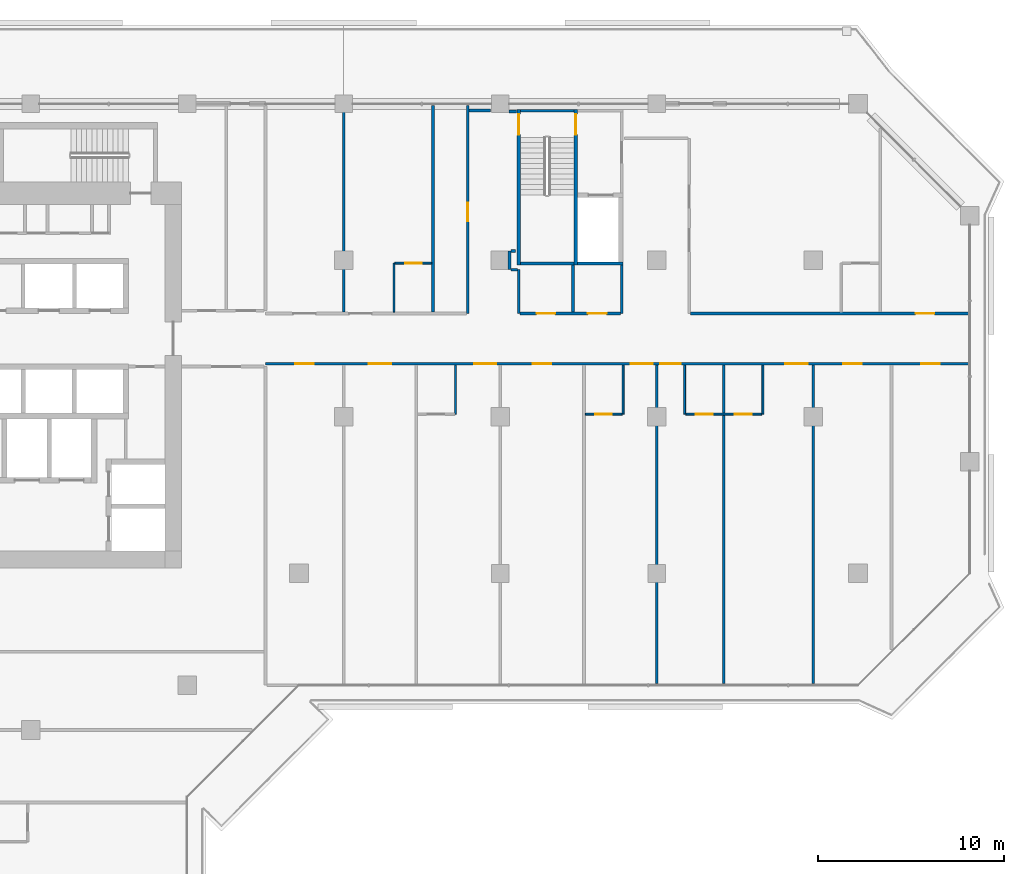
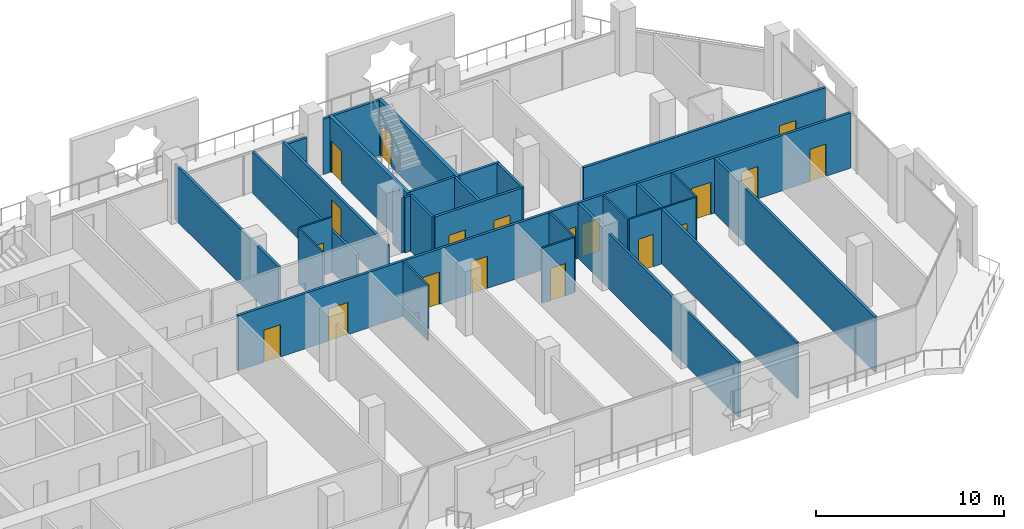
# One storey, part 13 of 22: 30 walls, 19 doors, 19 openings.
"""IFC4 building model written with IfcOpenShell, lengths in metres."""

from ifc_helpers import new_model, si_unit, direction, frame, frame_2d, origin, place, context, subcontext, project, spatial, rectangle, extrude, material, layer, layer_set, type_object, element, fill, save


model = new_model("IFC4")

# Units and contexts
model_context = context("Model", 3, precision=1e-05, world=origin(), true_north=direction((0.0, 1.0)))
body_context = subcontext(model_context, "Body", "Model", "MODEL_VIEW")
ifc_project = project(units=[si_unit("LENGTHUNIT", "METRE"), si_unit("AREAUNIT", "SQUARE_METRE"), si_unit("VOLUMEUNIT", "CUBIC_METRE"), si_unit("PLANEANGLEUNIT", "RADIAN"), si_unit("MASSUNIT", "GRAM", prefix="KILO")], contexts=[model_context])

# Site, building, storey
site_placement = place(None, origin())
site = spatial("IfcSite", under=ifc_project, at=site_placement, CompositionType="ELEMENT")
building_placement = place(site_placement, origin())
building = spatial("IfcBuilding", under=site, at=building_placement, Name="Kawkab Arch Medical Tower", CompositionType="ELEMENT")
storey_placement = place(building_placement, frame((0.0, 0.0, 171.0)))
storey = spatial("IfcBuildingStorey", under=building, at=storey_placement, Name="L39", CompositionType="ELEMENT", Elevation=171.0)

# Wall, opening, door
ifc_material_1 = material(Name="Gypsum board partition on steel studs", Category="steel")
ifc_layer_1 = layer(ifc_material_1, 0.10009765625)
ifc_layer_set_1 = layer_set([ifc_layer_1], Name="Gypsum board partition on steel studs")
wall_type_1 = type_object("IfcWallType", Name="Partition 100", PredefinedType="PARTITIONING", material=ifc_layer_set_1)
wall_1_placement = place(storey_placement, frame((46.574951171875, -16.64990234375, 0.0), z_axis=(0.0, 0.0, 1.0), x_axis=(1.0, 0.0, 0.0)))
wall_1 = element("IfcWall", 1, at=wall_1_placement, inside=storey, type_object=wall_type_1, Name="Partition 100 w005", PredefinedType="PARTITIONING", context=body_context, shape_type="SweptSolid", body=[
    extrude(rectangle(XDim=1.97509765625, YDim=0.10009765625, at=frame_2d((0.987548828125, 0.0))), origin(), (0.0, 0.0, 1.0), 3.60009765625),
])
opening_1_placement = place(wall_1_placement, frame((0.52490234375, 0.0, 0.0)))
opening_1 = element("IfcOpeningElement", 2, at=opening_1_placement, cuts=wall_1, Name="Opening W39-006", PredefinedType="OPENING", context=body_context, shape_type="SweptSolid", body=[
    extrude(rectangle(XDim=0.89990234375, YDim=2.10009765625, at=frame_2d((0.449951171875, 1.050048828125))), frame((0.0, 0.06005859375, 0.0), z_axis=(0.0, -1.0, 0.0), x_axis=(1.0, 0.0, 0.0)), (0.0, 0.0, 1.0), 0.1201171875),
])
ifc_material_2 = material(Name="Timber door leaf", Category="wood")
door_type_1 = type_object("IfcDoorType", Name="Single door 900x2100", OperationType="NOTDEFINED", PredefinedType="DOOR", material=ifc_material_2)
door_1_placement = place(opening_1_placement, origin())
door_1 = element("IfcDoor", 3, at=door_1_placement, inside=storey, type_object=door_type_1, Name="Door W39-006", OperationType="SINGLE_SWING_RIGHT", OverallHeight=2.10009765625, OverallWidth=0.89990234375, PredefinedType="DOOR", context=body_context, shape_type="SweptSolid", body=[
    extrude(rectangle(XDim=0.89990234375, YDim=2.10009765625, at=frame_2d((0.449951171875, 1.050048828125))), frame((0.0, 0.02490234375, 0.0), z_axis=(0.0, -1.0, 0.0), x_axis=(1.0, 0.0, 0.0)), (0.0, 0.0, 1.0), 0.050048828125),
])
fill(opening_1, door_1)

# Wall, openings, doors
wall_2_placement = place(storey_placement, frame((51.949951171875, -16.64990234375, 0.0), z_axis=(0.0, 0.0, 1.0), x_axis=(1.0, 0.0, 0.0)))
wall_2 = element("IfcWall", 4, at=wall_2_placement, inside=storey, type_object=wall_type_1, Name="Partition 100 w006", PredefinedType="PARTITIONING", context=body_context, shape_type="SweptSolid", body=[
    extrude(rectangle(XDim=4.10009765625, YDim=0.10009765625, at=frame_2d((2.050048828125, 0.0))), origin(), (0.0, 0.0, 1.0), 3.60009765625),
])
opening_2_placement = place(wall_2_placement, frame((0.550048828125, 0.0, 0.0)))
opening_2 = element("IfcOpeningElement", 5, at=opening_2_placement, cuts=wall_2, Name="Opening W39-007", PredefinedType="OPENING", context=body_context, shape_type="SweptSolid", body=[
    extrude(rectangle(XDim=0.89990234375, YDim=2.10009765625, at=frame_2d((0.449951171875, 1.050048828125))), frame((0.0, 0.06005859375, 0.0), z_axis=(0.0, -1.0, 0.0), x_axis=(1.0, 0.0, 0.0)), (0.0, 0.0, 1.0), 0.1201171875),
])
opening_3_placement = place(wall_2_placement, frame((2.64990234375, 0.0, 0.0)))
opening_3 = element("IfcOpeningElement", 6, at=opening_3_placement, cuts=wall_2, Name="Opening W39-008", PredefinedType="OPENING", context=body_context, shape_type="SweptSolid", body=[
    extrude(rectangle(XDim=0.89990234375, YDim=2.10009765625, at=frame_2d((0.449951171875, 1.050048828125))), frame((0.0, 0.06005859375, 0.0), z_axis=(0.0, -1.0, 0.0), x_axis=(1.0, 0.0, 0.0)), (0.0, 0.0, 1.0), 0.1201171875),
])
door_2_placement = place(opening_2_placement, origin())
door_2 = element("IfcDoor", 7, at=door_2_placement, inside=storey, type_object=door_type_1, Name="Door W39-007", OperationType="SINGLE_SWING_RIGHT", OverallHeight=2.10009765625, OverallWidth=0.89990234375, PredefinedType="DOOR", context=body_context, shape_type="SweptSolid", body=[
    extrude(rectangle(XDim=0.89990234375, YDim=2.10009765625, at=frame_2d((0.449951171875, 1.050048828125))), frame((0.0, 0.02490234375, 0.0), z_axis=(0.0, -1.0, 0.0), x_axis=(1.0, 0.0, 0.0)), (0.0, 0.0, 1.0), 0.050048828125),
])
fill(opening_2, door_2)
door_3_placement = place(opening_3_placement, origin())
door_3 = element("IfcDoor", 8, at=door_3_placement, inside=storey, type_object=door_type_1, Name="Door W39-008", OperationType="SINGLE_SWING_LEFT", OverallHeight=2.10009765625, OverallWidth=0.89990234375, PredefinedType="DOOR", context=body_context, shape_type="SweptSolid", body=[
    extrude(rectangle(XDim=0.89990234375, YDim=2.10009765625, at=frame_2d((0.449951171875, 1.050048828125))), frame((0.0, 0.02490234375, 0.0), z_axis=(0.0, -1.0, 0.0), x_axis=(1.0, 0.0, 0.0)), (0.0, 0.0, 1.0), 0.050048828125),
])
fill(opening_3, door_3)

# Wall, opening, door
wall_3_placement = place(storey_placement, frame((36.35009765625, -8.550048828125, 0.0), z_axis=(0.0, 0.0, 1.0), x_axis=(1.0, 0.0, 0.0)))
wall_3 = element("IfcWall", 9, at=wall_3_placement, inside=storey, type_object=wall_type_1, Name="Partition 100 w007", PredefinedType="PARTITIONING", context=body_context, shape_type="SweptSolid", body=[
    extrude(rectangle(XDim=1.974853515625, YDim=0.10009765625, at=frame_2d((0.9873046875, 0.0))), origin(), (0.0, 0.0, 1.0), 3.60009765625),
])
opening_4_placement = place(wall_3_placement, frame((0.550048828125, 0.0, 0.0)))
opening_4 = element("IfcOpeningElement", 10, at=opening_4_placement, cuts=wall_3, Name="Opening W39-003", PredefinedType="OPENING", context=body_context, shape_type="SweptSolid", body=[
    extrude(rectangle(XDim=0.89990234375, YDim=2.10009765625, at=frame_2d((0.449951171875, 1.050048828125))), frame((0.0, 0.06005859375, 0.0), z_axis=(0.0, -1.0, 0.0), x_axis=(1.0, 0.0, 0.0)), (0.0, 0.0, 1.0), 0.1201171875),
])
door_4_placement = place(opening_4_placement, origin())
door_4 = element("IfcDoor", 11, at=door_4_placement, inside=storey, type_object=door_type_1, Name="Door W39-003", OperationType="SINGLE_SWING_LEFT", OverallHeight=2.10009765625, OverallWidth=0.89990234375, PredefinedType="DOOR", context=body_context, shape_type="SweptSolid", body=[
    extrude(rectangle(XDim=0.89990234375, YDim=2.10009765625, at=frame_2d((0.449951171875, 1.050048828125))), frame((0.0, 0.02490234375, 0.0), z_axis=(0.0, -1.0, 0.0), x_axis=(1.0, 0.0, 0.0)), (0.0, 0.0, 1.0), 0.050048828125),
])
fill(opening_4, door_4)

# Walls
for number, where, z_axis, x_axis, name in (
    (12, (36.300048828125, -11.175048828125, 0.0), (0.0, 0.0, 1.0), (0.0, 1.0, 0.0), "Partition 100 w012"),
    (13, (39.60009765625, -16.64990234375, 0.0), (0.0, 0.0, 1.0), (0.0, 1.0, 0.0), "Partition 100 w013"),
    (14, (48.60009765625, -16.64990234375, 0.0), (0.0, 0.0, 1.0), (0.0, 1.0, 0.0), "Partition 100 w014"),
    (15, (51.89990234375, -16.64990234375, 0.0), (0.0, 0.0, 1.0), (0.0, 1.0, 0.0), "Partition 100 w015"),
    (16, (56.10009765625, -16.64990234375, 0.0), (0.0, 0.0, 1.0), (0.0, 1.0, 0.0), "Partition 100 w016"),
):
    element("IfcWall", number, at=place(storey_placement, frame(where, z_axis=z_axis, x_axis=x_axis)), inside=storey, type_object=wall_type_1, Name=name, PredefinedType="PARTITIONING", context=body_context, shape_type="SweptSolid", body=[
        extrude(rectangle(XDim=2.625, YDim=0.10009765625, at=frame_2d((1.3125, 0.0))), origin(), (0.0, 0.0, 1.0), 3.60009765625),
    ])

# Wall, openings, doors
ifc_material_3 = material(Name="Gypsum board partition on steel studs, mineral wool", Category="steel")
ifc_layer_2 = layer(ifc_material_3, 0.14990234375)
ifc_layer_set_2 = layer_set([ifc_layer_2], Name="Gypsum board partition on steel studs, mineral wool")
wall_type_2 = type_object("IfcWallType", Name="Partition 150", PredefinedType="PARTITIONING", material=ifc_layer_set_2)
wall_4_placement = place(storey_placement, frame((29.39990234375, -13.949951171875, 0.0), z_axis=(0.0, 0.0, 1.0), x_axis=(1.0, 0.0, 0.0)))
wall_4 = element("IfcWall", 17, at=wall_4_placement, inside=storey, type_object=wall_type_2, Name="Partition 150 w032", PredefinedType="PARTITIONING", context=body_context, shape_type="SweptSolid", body=[
    extrude(rectangle(XDim=37.72021484375, YDim=0.14990234375, at=frame_2d((18.860107421875, 0.0))), origin(), (0.0, 0.0, 1.0), 3.60009765625),
])
opening_5_placement = place(wall_4_placement, frame((1.60009765625, 0.0, 0.0)))
opening_5 = element("IfcOpeningElement", 18, at=opening_5_placement, cuts=wall_4, Name="Opening W39-018", PredefinedType="OPENING", context=body_context, shape_type="SweptSolid", body=[
    extrude(rectangle(XDim=1.0, YDim=2.10009765625, at=frame_2d((0.5, 1.050048828125))), frame((0.0, 0.0849609375, 0.0), z_axis=(0.0, -1.0, 0.0), x_axis=(1.0, 0.0, 0.0)), (0.0, 0.0, 1.0), 0.169921875),
])
opening_6_placement = place(wall_4_placement, frame((5.550048828125, 0.0, 0.0)))
opening_6 = element("IfcOpeningElement", 19, at=opening_6_placement, cuts=wall_4, Name="Opening W39-030", PredefinedType="OPENING", context=body_context, shape_type="SweptSolid", body=[
    extrude(rectangle(XDim=1.199951171875, YDim=2.10009765625, at=frame_2d((0.60009765625, 1.050048828125))), frame((0.0, 0.0849609375, 0.0), z_axis=(0.0, -1.0, 0.0), x_axis=(1.0, 0.0, 0.0)), (0.0, 0.0, 1.0), 0.169921875),
])
opening_7_placement = place(wall_4_placement, frame((11.199951171875, 0.0, 0.0)))
opening_7 = element("IfcOpeningElement", 20, at=opening_7_placement, cuts=wall_4, Name="Opening W39-031", PredefinedType="OPENING", context=body_context, shape_type="SweptSolid", body=[
    extrude(rectangle(XDim=1.199951171875, YDim=2.10009765625, at=frame_2d((0.60009765625, 1.050048828125))), frame((0.0, 0.0849609375, 0.0), z_axis=(0.0, -1.0, 0.0), x_axis=(1.0, 0.0, 0.0)), (0.0, 0.0, 1.0), 0.169921875),
])
opening_8_placement = place(wall_4_placement, frame((14.35009765625, 0.0, 0.0)))
opening_8 = element("IfcOpeningElement", 21, at=opening_8_placement, cuts=wall_4, Name="Opening W39-019", PredefinedType="OPENING", context=body_context, shape_type="SweptSolid", body=[
    extrude(rectangle(XDim=1.0, YDim=2.10009765625, at=frame_2d((0.5, 1.050048828125))), frame((0.0, 0.0849609375, 0.0), z_axis=(0.0, -1.0, 0.0), x_axis=(1.0, 0.0, 0.0)), (0.0, 0.0, 1.0), 0.169921875),
])
opening_9_placement = place(wall_4_placement, frame((19.60009765625, 0.0, 0.0)))
opening_9 = element("IfcOpeningElement", 22, at=opening_9_placement, cuts=wall_4, Name="Opening W39-032", PredefinedType="OPENING", context=body_context, shape_type="SweptSolid", body=[
    extrude(rectangle(XDim=1.199951171875, YDim=2.10009765625, at=frame_2d((0.60009765625, 1.050048828125))), frame((0.0, 0.0849609375, 0.0), z_axis=(0.0, -1.0, 0.0), x_axis=(1.0, 0.0, 0.0)), (0.0, 0.0, 1.0), 0.169921875),
])
opening_10_placement = place(wall_4_placement, frame((21.199951171875, 0.0, 0.0)))
opening_10 = element("IfcOpeningElement", 23, at=opening_10_placement, cuts=wall_4, Name="Opening W39-026", PredefinedType="OPENING", context=body_context, shape_type="SweptSolid", body=[
    extrude(rectangle(XDim=1.10009765625, YDim=2.10009765625, at=frame_2d((0.550048828125, 1.050048828125))), frame((0.0, 0.0849609375, 0.0), z_axis=(0.0, -1.0, 0.0), x_axis=(1.0, 0.0, 0.0)), (0.0, 0.0, 1.0), 0.169921875),
])
opening_11_placement = place(wall_4_placement, frame((27.89990234375, 0.0, 0.0)))
opening_11 = element("IfcOpeningElement", 24, at=opening_11_placement, cuts=wall_4, Name="Opening W39-033", PredefinedType="OPENING", context=body_context, shape_type="SweptSolid", body=[
    extrude(rectangle(XDim=1.199951171875, YDim=2.10009765625, at=frame_2d((0.60009765625, 1.050048828125))), frame((0.0, 0.0849609375, 0.0), z_axis=(0.0, -1.0, 0.0), x_axis=(1.0, 0.0, 0.0)), (0.0, 0.0, 1.0), 0.169921875),
])
opening_12_placement = place(wall_4_placement, frame((31.0, 0.0, 0.0)))
opening_12 = element("IfcOpeningElement", 25, at=opening_12_placement, cuts=wall_4, Name="Opening W39-020", PredefinedType="OPENING", context=body_context, shape_type="SweptSolid", body=[
    extrude(rectangle(XDim=1.0, YDim=2.10009765625, at=frame_2d((0.5, 1.050048828125))), frame((0.0, 0.0849609375, 0.0), z_axis=(0.0, -1.0, 0.0), x_axis=(1.0, 0.0, 0.0)), (0.0, 0.0, 1.0), 0.169921875),
])
opening_13_placement = place(wall_4_placement, frame((35.199951171875, 0.0, 0.0)))
opening_13 = element("IfcOpeningElement", 26, at=opening_13_placement, cuts=wall_4, Name="Opening W39-021", PredefinedType="OPENING", context=body_context, shape_type="SweptSolid", body=[
    extrude(rectangle(XDim=1.0, YDim=2.10009765625, at=frame_2d((0.5, 1.050048828125))), frame((0.0, 0.0849609375, 0.0), z_axis=(0.0, -1.0, 0.0), x_axis=(1.0, 0.0, 0.0)), (0.0, 0.0, 1.0), 0.169921875),
])
ifc_material_4 = material(Name="Hollow metal door leaf")
door_type_2 = type_object("IfcDoorType", Name="Single door 1000x2100 FD30S", OperationType="NOTDEFINED", PredefinedType="DOOR", material=ifc_material_4)
door_5_placement = place(opening_5_placement, origin())
door_5 = element("IfcDoor", 27, at=door_5_placement, inside=storey, type_object=door_type_2, Name="Door W39-018", OperationType="SINGLE_SWING_RIGHT", OverallHeight=2.10009765625, OverallWidth=1.0, PredefinedType="DOOR", context=body_context, shape_type="SweptSolid", body=[
    extrude(rectangle(XDim=1.0, YDim=2.10009765625, at=frame_2d((0.5, 1.050048828125))), frame((0.0, 0.02490234375, 0.0), z_axis=(0.0, -1.0, 0.0), x_axis=(1.0, 0.0, 0.0)), (0.0, 0.0, 1.0), 0.050048828125),
])
fill(opening_5, door_5)
door_6_placement = place(opening_8_placement, origin())
door_6 = element("IfcDoor", 28, at=door_6_placement, inside=storey, type_object=door_type_2, Name="Door W39-019", OperationType="SINGLE_SWING_RIGHT", OverallHeight=2.10009765625, OverallWidth=1.0, PredefinedType="DOOR", context=body_context, shape_type="SweptSolid", body=[
    extrude(rectangle(XDim=1.0, YDim=2.10009765625, at=frame_2d((0.5, 1.050048828125))), frame((0.0, 0.02490234375, 0.0), z_axis=(0.0, -1.0, 0.0), x_axis=(1.0, 0.0, 0.0)), (0.0, 0.0, 1.0), 0.050048828125),
])
fill(opening_8, door_6)
door_7_placement = place(opening_12_placement, origin())
door_7 = element("IfcDoor", 29, at=door_7_placement, inside=storey, type_object=door_type_2, Name="Door W39-020", OperationType="SINGLE_SWING_LEFT", OverallHeight=2.10009765625, OverallWidth=1.0, PredefinedType="DOOR", context=body_context, shape_type="SweptSolid", body=[
    extrude(rectangle(XDim=1.0, YDim=2.10009765625, at=frame_2d((0.5, 1.050048828125))), frame((0.0, 0.02490234375, 0.0), z_axis=(0.0, -1.0, 0.0), x_axis=(1.0, 0.0, 0.0)), (0.0, 0.0, 1.0), 0.050048828125),
])
fill(opening_12, door_7)
door_8_placement = place(opening_13_placement, origin())
door_8 = element("IfcDoor", 30, at=door_8_placement, inside=storey, type_object=door_type_2, Name="Door W39-021", OperationType="SINGLE_SWING_LEFT", OverallHeight=2.10009765625, OverallWidth=1.0, PredefinedType="DOOR", context=body_context, shape_type="SweptSolid", body=[
    extrude(rectangle(XDim=1.0, YDim=2.10009765625, at=frame_2d((0.5, 1.050048828125))), frame((0.0, 0.02490234375, 0.0), z_axis=(0.0, -1.0, 0.0), x_axis=(1.0, 0.0, 0.0)), (0.0, 0.0, 1.0), 0.050048828125),
])
fill(opening_13, door_8)
ifc_material_5 = material(Name="Hollow metal door leaf")
door_type_3 = type_object("IfcDoorType", Name="Single door 1100x2100 FD30S", OperationType="NOTDEFINED", PredefinedType="DOOR", material=ifc_material_5)
door_9_placement = place(opening_10_placement, origin())
door_9 = element("IfcDoor", 31, at=door_9_placement, inside=storey, type_object=door_type_3, Name="Door W39-026", OperationType="SINGLE_SWING_LEFT", OverallHeight=2.10009765625, OverallWidth=1.10009765625, PredefinedType="DOOR", context=body_context, shape_type="SweptSolid", body=[
    extrude(rectangle(XDim=1.10009765625, YDim=2.10009765625, at=frame_2d((0.550048828125, 1.050048828125))), frame((0.0, 0.02490234375, 0.0), z_axis=(0.0, -1.0, 0.0), x_axis=(1.0, 0.0, 0.0)), (0.0, 0.0, 1.0), 0.050048828125),
])
fill(opening_10, door_9)
ifc_material_6 = material(Name="Hollow metal door leaf")
door_type_4 = type_object("IfcDoorType", Name="Single door 1200x2100 FD30S", OperationType="NOTDEFINED", PredefinedType="DOOR", material=ifc_material_6)
door_10_placement = place(opening_6_placement, origin())
door_10 = element("IfcDoor", 32, at=door_10_placement, inside=storey, type_object=door_type_4, Name="Door W39-030", OperationType="SINGLE_SWING_RIGHT", OverallHeight=2.10009765625, OverallWidth=1.199951171875, PredefinedType="DOOR", context=body_context, shape_type="SweptSolid", body=[
    extrude(rectangle(XDim=1.199951171875, YDim=2.10009765625, at=frame_2d((0.60009765625, 1.050048828125))), frame((0.0, 0.02490234375, 0.0), z_axis=(0.0, -1.0, 0.0), x_axis=(1.0, 0.0, 0.0)), (0.0, 0.0, 1.0), 0.050048828125),
])
fill(opening_6, door_10)
door_11_placement = place(opening_7_placement, origin())
door_11 = element("IfcDoor", 33, at=door_11_placement, inside=storey, type_object=door_type_4, Name="Door W39-031", OperationType="SINGLE_SWING_RIGHT", OverallHeight=2.10009765625, OverallWidth=1.199951171875, PredefinedType="DOOR", context=body_context, shape_type="SweptSolid", body=[
    extrude(rectangle(XDim=1.199951171875, YDim=2.10009765625, at=frame_2d((0.60009765625, 1.050048828125))), frame((0.0, 0.02490234375, 0.0), z_axis=(0.0, -1.0, 0.0), x_axis=(1.0, 0.0, 0.0)), (0.0, 0.0, 1.0), 0.050048828125),
])
fill(opening_7, door_11)
door_12_placement = place(opening_9_placement, origin())
door_12 = element("IfcDoor", 34, at=door_12_placement, inside=storey, type_object=door_type_4, Name="Door W39-032", OperationType="SINGLE_SWING_LEFT", OverallHeight=2.10009765625, OverallWidth=1.199951171875, PredefinedType="DOOR", context=body_context, shape_type="SweptSolid", body=[
    extrude(rectangle(XDim=1.199951171875, YDim=2.10009765625, at=frame_2d((0.60009765625, 1.050048828125))), frame((0.0, 0.02490234375, 0.0), z_axis=(0.0, -1.0, 0.0), x_axis=(1.0, 0.0, 0.0)), (0.0, 0.0, 1.0), 0.050048828125),
])
fill(opening_9, door_12)
door_13_placement = place(opening_11_placement, origin())
door_13 = element("IfcDoor", 35, at=door_13_placement, inside=storey, type_object=door_type_4, Name="Door W39-033", OperationType="SINGLE_SWING_LEFT", OverallHeight=2.10009765625, OverallWidth=1.199951171875, PredefinedType="DOOR", context=body_context, shape_type="SweptSolid", body=[
    extrude(rectangle(XDim=1.199951171875, YDim=2.10009765625, at=frame_2d((0.60009765625, 1.050048828125))), frame((0.0, 0.02490234375, 0.0), z_axis=(0.0, -1.0, 0.0), x_axis=(1.0, 0.0, 0.0)), (0.0, 0.0, 1.0), 0.050048828125),
])
fill(opening_11, door_13)

wall_5_placement = place(storey_placement, frame((43.074951171875, -11.25, 0.0), z_axis=(0.0, 0.0, 1.0), x_axis=(1.0, 0.0, 0.0)))
wall_5 = element("IfcWall", 36, at=wall_5_placement, inside=storey, type_object=wall_type_2, Name="Partition 150 w034", PredefinedType="PARTITIONING", context=body_context, shape_type="SweptSolid", body=[
    extrude(rectangle(XDim=5.375, YDim=0.14990234375, at=frame_2d((2.6875, 0.0))), origin(), (0.0, 0.0, 1.0), 3.60009765625),
])
opening_14_placement = place(wall_5_placement, frame((0.875, 0.0, 0.0)))
opening_14 = element("IfcOpeningElement", 37, at=opening_14_placement, cuts=wall_5, Name="Opening W39-015", PredefinedType="OPENING", context=body_context, shape_type="SweptSolid", body=[
    extrude(rectangle(XDim=1.0, YDim=2.10009765625, at=frame_2d((0.5, 1.050048828125))), frame((0.0, 0.0849609375, 0.0), z_axis=(0.0, -1.0, 0.0), x_axis=(1.0, 0.0, 0.0)), (0.0, 0.0, 1.0), 0.169921875),
])
opening_15_placement = place(wall_5_placement, frame((3.636962890625, 0.0, 0.0)))
opening_15 = element("IfcOpeningElement", 38, at=opening_15_placement, cuts=wall_5, Name="Opening W39-016", PredefinedType="OPENING", context=body_context, shape_type="SweptSolid", body=[
    extrude(rectangle(XDim=1.0, YDim=2.10009765625, at=frame_2d((0.5, 1.050048828125))), frame((0.0, 0.0849609375, 0.0), z_axis=(0.0, -1.0, 0.0), x_axis=(1.0, 0.0, 0.0)), (0.0, 0.0, 1.0), 0.169921875),
])
door_14_placement = place(opening_14_placement, origin())
door_14 = element("IfcDoor", 39, at=door_14_placement, inside=storey, type_object=door_type_2, Name="Door W39-015", OperationType="SINGLE_SWING_LEFT", OverallHeight=2.10009765625, OverallWidth=1.0, PredefinedType="DOOR", context=body_context, shape_type="SweptSolid", body=[
    extrude(rectangle(XDim=1.0, YDim=2.10009765625, at=frame_2d((0.5, 1.050048828125))), frame((0.0, 0.02490234375, 0.0), z_axis=(0.0, -1.0, 0.0), x_axis=(1.0, 0.0, 0.0)), (0.0, 0.0, 1.0), 0.050048828125),
])
fill(opening_14, door_14)
door_15_placement = place(opening_15_placement, origin())
door_15 = element("IfcDoor", 40, at=door_15_placement, inside=storey, type_object=door_type_2, Name="Door W39-016", OperationType="SINGLE_SWING_RIGHT", OverallHeight=2.10009765625, OverallWidth=1.0, PredefinedType="DOOR", context=body_context, shape_type="SweptSolid", body=[
    extrude(rectangle(XDim=1.0, YDim=2.10009765625, at=frame_2d((0.5, 1.050048828125))), frame((0.0, 0.02490234375, 0.0), z_axis=(0.0, -1.0, 0.0), x_axis=(1.0, 0.0, 0.0)), (0.0, 0.0, 1.0), 0.050048828125),
])
fill(opening_15, door_15)

# Wall, opening, door
wall_6_placement = place(storey_placement, frame((52.218017578125, -11.25, 0.0), z_axis=(0.0, 0.0, 1.0), x_axis=(1.0, 0.0, 0.0)))
wall_6 = element("IfcWall", 41, at=wall_6_placement, inside=storey, type_object=wall_type_2, Name="Partition 150 w035", PredefinedType="PARTITIONING", context=body_context, shape_type="SweptSolid", body=[
    extrude(rectangle(XDim=14.902099609375, YDim=0.14990234375, at=frame_2d((7.451171875, 0.0))), origin(), (0.0, 0.0, 1.0), 3.60009765625),
])
opening_16_placement = place(wall_6_placement, frame((12.08203125, 0.0, 0.0)))
opening_16 = element("IfcOpeningElement", 42, at=opening_16_placement, cuts=wall_6, Name="Opening W39-017", PredefinedType="OPENING", context=body_context, shape_type="SweptSolid", body=[
    extrude(rectangle(XDim=1.0, YDim=2.10009765625, at=frame_2d((0.5, 1.050048828125))), frame((0.0, 0.0849609375, 0.0), z_axis=(0.0, -1.0, 0.0), x_axis=(1.0, 0.0, 0.0)), (0.0, 0.0, 1.0), 0.169921875),
])
door_16_placement = place(opening_16_placement, origin())
door_16 = element("IfcDoor", 43, at=door_16_placement, inside=storey, type_object=door_type_2, Name="Door W39-017", OperationType="SINGLE_SWING_RIGHT", OverallHeight=2.10009765625, OverallWidth=1.0, PredefinedType="DOOR", context=body_context, shape_type="SweptSolid", body=[
    extrude(rectangle(XDim=1.0, YDim=2.10009765625, at=frame_2d((0.5, 1.050048828125))), frame((0.0, 0.02490234375, 0.0), z_axis=(0.0, -1.0, 0.0), x_axis=(1.0, 0.0, 0.0)), (0.0, 0.0, 1.0), 0.050048828125),
])
fill(opening_16, door_16)

# Walls
wall_7_placement = place(storey_placement, frame((42.575927734375, -8.89990234375, 0.0), z_axis=(0.0, 0.0, 1.0), x_axis=(1.0, 0.0, 0.0)))
element("IfcWall", 44, at=wall_7_placement, inside=storey, type_object=wall_type_2, Name="Partition 150 w037", PredefinedType="PARTITIONING", context=body_context, shape_type="SweptSolid", body=[
    extrude(rectangle(XDim=0.34716796875, YDim=0.14990234375, at=frame_2d((0.173583984375, 0.0))), origin(), (0.0, 0.0, 1.0), 3.60009765625),
])
wall_8_placement = place(storey_placement, frame((42.575927734375, -7.89990234375, 0.0), z_axis=(0.0, 0.0, 1.0), x_axis=(1.0, 0.0, 0.0)))
element("IfcWall", 45, at=wall_8_placement, inside=storey, type_object=wall_type_2, Name="Partition 150 w038", PredefinedType="PARTITIONING", context=body_context, shape_type="SweptSolid", body=[
    extrude(rectangle(XDim=0.244140625, YDim=0.14990234375, at=frame_2d((0.1220703125, 0.0))), origin(), (0.0, 0.0, 1.0), 3.60009765625),
])
wall_9_placement = place(storey_placement, frame((42.47509765625, -0.412109375, 0.0), z_axis=(0.0, 0.0, 1.0), x_axis=(1.0, 0.0, 0.0)))
element("IfcWall", 46, at=wall_9_placement, inside=storey, type_object=wall_type_2, Name="Partition 150 w040", PredefinedType="PARTITIONING", context=body_context, shape_type="SweptSolid", body=[
    extrude(rectangle(XDim=0.39501953125, YDim=0.14990234375, at=frame_2d((0.197509765625, 0.0))), origin(), (0.0, 0.0, 1.0), 3.60009765625),
])
wall_10_placement = place(storey_placement, frame((40.33203125, -0.35009765625, 0.0), z_axis=(0.0, 0.0, 1.0), x_axis=(1.0, 0.0, 0.0)))
element("IfcWall", 47, at=wall_10_placement, inside=storey, type_object=wall_type_2, Name="Partition 150 w041", PredefinedType="PARTITIONING", context=body_context, shape_type="SweptSolid", body=[
    extrude(rectangle(XDim=1.156005859375, YDim=0.14990234375, at=frame_2d((0.578125, 0.0))), origin(), (0.0, 0.0, 1.0), 2.699951171875),
])
wall_11_placement = place(storey_placement, frame((33.60009765625, -11.175048828125, 0.0), z_axis=(0.0, 0.0, 1.0), x_axis=(0.0, 1.0, 0.0)))
element("IfcWall", 48, at=wall_11_placement, inside=storey, type_object=wall_type_2, Name="Partition 150 w055", PredefinedType="PARTITIONING", context=body_context, shape_type="SweptSolid", body=[
    extrude(rectangle(XDim=11.094970703125, YDim=0.14990234375, at=frame_2d((5.54736328125, 0.0))), origin(), (0.0, 0.0, 1.0), 3.60009765625),
])
wall_12_placement = place(storey_placement, frame((38.39990234375, -11.175048828125, 0.0), z_axis=(0.0, 0.0, 1.0), x_axis=(0.0, 1.0, 0.0)))
element("IfcWall", 49, at=wall_12_placement, inside=storey, type_object=wall_type_2, Name="Partition 150 w057", PredefinedType="PARTITIONING", context=body_context, shape_type="SweptSolid", body=[
    extrude(rectangle(XDim=11.094970703125, YDim=0.14990234375, at=frame_2d((5.54736328125, 0.0))), origin(), (0.0, 0.0, 1.0), 2.699951171875),
])

# Wall, opening, door
wall_13_placement = place(storey_placement, frame((40.257080078125, -11.25, 0.0), z_axis=(0.0, 0.0, 1.0), x_axis=(0.0, 1.0, 0.0)))
wall_13 = element("IfcWall", 50, at=wall_13_placement, inside=storey, type_object=wall_type_2, Name="Partition 150 w058", PredefinedType="PARTITIONING", context=body_context, shape_type="SweptSolid", body=[
    extrude(rectangle(XDim=11.169921875, YDim=0.14990234375, at=frame_2d((5.5849609375, 0.0))), origin(), (0.0, 0.0, 1.0), 2.699951171875),
])
opening_17_placement = place(wall_13_placement, frame((4.949951171875, 0.0, 0.0)))
opening_17 = element("IfcOpeningElement", 51, at=opening_17_placement, cuts=wall_13, Name="Opening W39-014", PredefinedType="OPENING", context=body_context, shape_type="SweptSolid", body=[
    extrude(rectangle(XDim=1.0, YDim=2.10009765625, at=frame_2d((0.5, 1.050048828125))), frame((0.0, 0.0849609375, 0.0), z_axis=(0.0, -1.0, 0.0), x_axis=(1.0, 0.0, 0.0)), (0.0, 0.0, 1.0), 0.169921875),
])
door_17_placement = place(opening_17_placement, origin())
door_17 = element("IfcDoor", 52, at=door_17_placement, inside=storey, type_object=door_type_2, Name="Door W39-014", OperationType="SINGLE_SWING_RIGHT", OverallHeight=2.10009765625, OverallWidth=1.0, PredefinedType="DOOR", context=body_context, shape_type="SweptSolid", body=[
    extrude(rectangle(XDim=1.0, YDim=2.10009765625, at=frame_2d((0.5, 1.050048828125))), frame((0.0, 0.02490234375, 0.0), z_axis=(0.0, -1.0, 0.0), x_axis=(1.0, 0.0, 0.0)), (0.0, 0.0, 1.0), 0.050048828125),
])
fill(opening_17, door_17)

# Walls
wall_14_placement = place(storey_placement, frame((42.5, -8.89892578125, 0.0), z_axis=(0.0, 0.0, 1.0), x_axis=(0.0, 1.0, 0.0)))
element("IfcWall", 53, at=wall_14_placement, inside=storey, type_object=wall_type_2, Name="Partition 150 w060", PredefinedType="PARTITIONING", context=body_context, shape_type="SweptSolid", body=[
    extrude(rectangle(XDim=0.998046875, YDim=0.14990234375, at=frame_2d((0.4990234375, 0.0))), origin(), (0.0, 0.0, 1.0), 3.60009765625),
])
wall_15_placement = place(storey_placement, frame((43.0, -11.25, 0.0), z_axis=(0.0, 0.0, 1.0), x_axis=(0.0, 1.0, 0.0)))
element("IfcWall", 54, at=wall_15_placement, inside=storey, type_object=wall_type_2, Name="Partition 150 w061", PredefinedType="PARTITIONING", context=body_context, shape_type="SweptSolid", body=[
    extrude(rectangle(XDim=2.347900390625, YDim=0.14990234375, at=frame_2d((1.173828125, 0.0))), origin(), (0.0, 0.0, 1.0), 3.60009765625),
])
wall_16_placement = place(storey_placement, frame((45.89990234375, -11.175048828125, 0.0), z_axis=(0.0, 0.0, 1.0), x_axis=(0.0, 1.0, 0.0)))
element("IfcWall", 55, at=wall_16_placement, inside=storey, type_object=wall_type_2, Name="Partition 150 w062", PredefinedType="PARTITIONING", context=body_context, shape_type="SweptSolid", body=[
    extrude(rectangle(XDim=2.525146484375, YDim=0.14990234375, at=frame_2d((1.2626953125, 0.0))), origin(), (0.0, 0.0, 1.0), 3.60009765625),
])
wall_17_placement = place(storey_placement, frame((48.52490234375, -11.25, 0.0), z_axis=(0.0, 0.0, 1.0), x_axis=(0.0, 1.0, 0.0)))
element("IfcWall", 56, at=wall_17_placement, inside=storey, type_object=wall_type_2, Name="Partition 150 w064", PredefinedType="PARTITIONING", context=body_context, shape_type="SweptSolid", body=[
    extrude(rectangle(XDim=2.60009765625, YDim=0.14990234375, at=frame_2d((1.300048828125, 0.0))), origin(), (0.0, 0.0, 1.0), 3.60009765625),
])
for number, where, z_axis, x_axis, name in (
    (57, (50.39990234375, -31.1201171875, 0.0), (0.0, 0.0, 1.0), (0.0, 1.0, 0.0), "Partition 150 w065"),
    (58, (54.0, -31.1201171875, 0.0), (0.0, 0.0, 1.0), (0.0, 1.0, 0.0), "Partition 150 w067"),
    (59, (58.800048828125, -31.1201171875, 0.0), (0.0, 0.0, 1.0), (0.0, 1.0, 0.0), "Partition 150 w068"),
):
    element("IfcWall", number, at=place(storey_placement, frame(where, z_axis=z_axis, x_axis=x_axis)), inside=storey, type_object=wall_type_2, Name=name, PredefinedType="PARTITIONING", context=body_context, shape_type="SweptSolid", body=[
        extrude(rectangle(XDim=17.09521484375, YDim=0.14990234375, at=frame_2d((8.547607421875, 0.0))), origin(), (0.0, 0.0, 1.0), 3.60009765625),
    ])
ifc_material_7 = material(Name="Concrete C50/60", Category="concrete")
ifc_layer_3 = layer(ifc_material_7, 0.14990234375)
ifc_layer_set_3 = layer_set([ifc_layer_3], Name="Concrete C50/60")
wall_type_3 = type_object("IfcWallType", Name="Stair enclosure wall 150 C50/60", PredefinedType="SHEAR", material=ifc_layer_set_3)
for number, where, z_axis, x_axis, name in (
    (60, (43.10009765625, -0.375, 0.0), (0.0, 0.0, 1.0), (1.0, 0.0, 0.0), "L39 stair enclosure wall"),
    (61, (43.10009765625, -8.574951171875, 0.0), (0.0, 0.0, 1.0), (1.0, 0.0, 0.0), "L39 stair enclosure wall"),
):
    element("IfcWall", number, at=place(storey_placement, frame(where, z_axis=z_axis, x_axis=x_axis)), inside=storey, type_object=wall_type_3, Name=name, PredefinedType="SHEAR", context=body_context, shape_type="SweptSolid", body=[
        extrude(rectangle(XDim=2.849853515625, YDim=0.14990234375, at=frame_2d((1.4248046875, 0.0))), origin(), (0.0, 0.0, 1.0), 3.60009765625),
    ])
wall_18_placement = place(storey_placement, frame((46.14990234375, -8.574951171875, 0.0), z_axis=(0.0, 0.0, 1.0), x_axis=(1.0, 0.0, 0.0)))
element("IfcWall", 62, at=wall_18_placement, inside=storey, type_object=wall_type_3, Name="L39 stair enclosure wall", PredefinedType="SHEAR", context=body_context, shape_type="SweptSolid", body=[
    extrude(rectangle(XDim=2.4501953125, YDim=0.14990234375, at=frame_2d((1.22509765625, 0.0))), origin(), (0.0, 0.0, 1.0), 3.60009765625),
])

# Wall, opening, door
ifc_material_8 = material(Name="Concrete C50/60", Category="concrete")
ifc_layer_4 = layer(ifc_material_8, 0.199951171875)
ifc_layer_set_4 = layer_set([ifc_layer_4], Name="Concrete C50/60")
wall_type_4 = type_object("IfcWallType", Name="Stair enclosure wall 200 C50/60", PredefinedType="SHEAR", material=ifc_layer_set_4)
wall_19_placement = place(storey_placement, frame((43.0, -8.64990234375, 0.0), z_axis=(0.0, 0.0, 1.0), x_axis=(0.0, 1.0, 0.0)))
wall_19 = element("IfcWall", 63, at=wall_19_placement, inside=storey, type_object=wall_type_4, Name="L39 stair enclosure wall", PredefinedType="SHEAR", context=body_context, shape_type="SweptSolid", body=[
    extrude(rectangle(XDim=8.349853515625, YDim=0.199951171875, at=frame_2d((4.1748046875, 0.0))), origin(), (0.0, 0.0, 1.0), 3.60009765625),
])
opening_18_placement = place(wall_19_placement, frame((7.0, 0.0, 0.0)))
opening_18 = element("IfcOpeningElement", 64, at=opening_18_placement, cuts=wall_19, Name="Opening SD", PredefinedType="OPENING", context=body_context, shape_type="SweptSolid", body=[
    extrude(rectangle(XDim=1.10009765625, YDim=2.10009765625, at=frame_2d((0.550048828125, 1.050048828125))), frame((0.0, 0.10986328125, 0.0), z_axis=(0.0, -1.0, 0.0), x_axis=(1.0, 0.0, 0.0)), (0.0, 0.0, 1.0), 0.219970703125),
])
ifc_material_9 = material(Name="Hollow metal fire door leaf")
door_type_5 = type_object("IfcDoorType", Name="Exit stair door 1100", OperationType="SINGLE_SWING_LEFT", PredefinedType="DOOR", material=ifc_material_9)
door_18_placement = place(opening_18_placement, frame((1.10009765625, 0.0, 0.0), z_axis=(0.0, 0.0, 1.0), x_axis=(-1.0, 0.0, 0.0)))
door_18 = element("IfcDoor", 65, at=door_18_placement, inside=storey, type_object=door_type_5, Name="L39 Exit stair ST5 door", OperationType="SINGLE_SWING_LEFT", OverallHeight=2.10009765625, OverallWidth=1.10009765625, PredefinedType="DOOR", context=body_context, shape_type="SweptSolid", body=[
    extrude(rectangle(XDim=1.10009765625, YDim=2.10009765625, at=frame_2d((0.550048828125, 1.050048828125))), frame((0.0, 0.02490234375, 0.0), z_axis=(0.0, -1.0, 0.0), x_axis=(1.0, 0.0, 0.0)), (0.0, 0.0, 1.0), 0.050048828125),
])
fill(opening_18, door_18)

wall_20_placement = place(storey_placement, frame((46.050048828125, -8.64990234375, 0.0), z_axis=(0.0, 0.0, 1.0), x_axis=(0.0, 1.0, 0.0)))
wall_20 = element("IfcWall", 66, at=wall_20_placement, inside=storey, type_object=wall_type_4, Name="L39 stair enclosure wall", PredefinedType="SHEAR", context=body_context, shape_type="SweptSolid", body=[
    extrude(rectangle(XDim=8.349853515625, YDim=0.199951171875, at=frame_2d((4.1748046875, 0.0))), origin(), (0.0, 0.0, 1.0), 3.60009765625),
])
opening_19_placement = place(wall_20_placement, frame((7.0, 0.0, 0.0)))
opening_19 = element("IfcOpeningElement", 67, at=opening_19_placement, cuts=wall_20, Name="Opening SD", PredefinedType="OPENING", context=body_context, shape_type="SweptSolid", body=[
    extrude(rectangle(XDim=1.10009765625, YDim=2.10009765625, at=frame_2d((0.550048828125, 1.050048828125))), frame((0.0, 0.10986328125, 0.0), z_axis=(0.0, -1.0, 0.0), x_axis=(1.0, 0.0, 0.0)), (0.0, 0.0, 1.0), 0.219970703125),
])
door_19_placement = place(opening_19_placement, origin())
door_19 = element("IfcDoor", 68, at=door_19_placement, inside=storey, type_object=door_type_5, Name="L39 Exit stair ST5 lobby door", OperationType="SINGLE_SWING_LEFT", OverallHeight=2.10009765625, OverallWidth=1.10009765625, PredefinedType="DOOR", context=body_context, shape_type="SweptSolid", body=[
    extrude(rectangle(XDim=1.10009765625, YDim=2.10009765625, at=frame_2d((0.550048828125, 1.050048828125))), frame((0.0, 0.02490234375, 0.0), z_axis=(0.0, -1.0, 0.0), x_axis=(1.0, 0.0, 0.0)), (0.0, 0.0, 1.0), 0.050048828125),
])
fill(opening_19, door_19)

save(model, "model.ifc")
